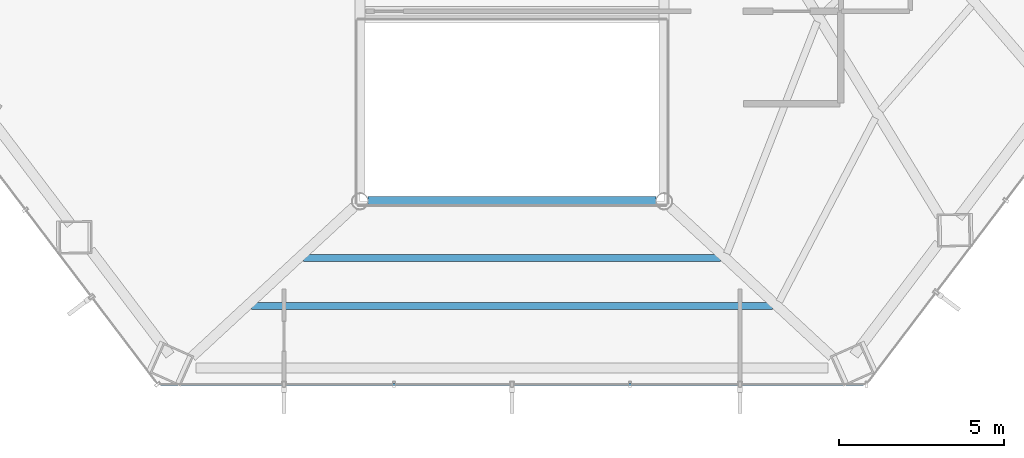
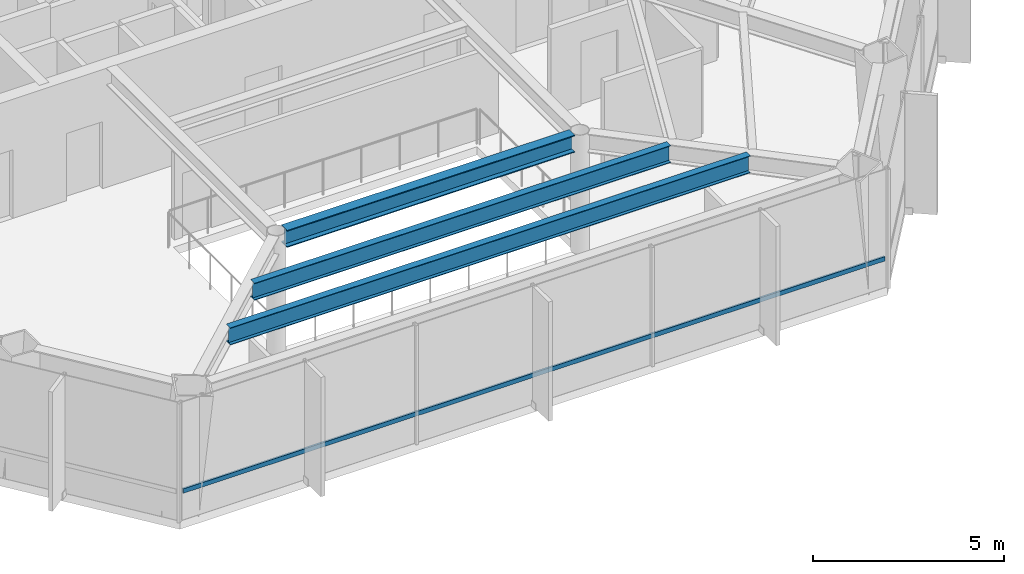
# One storey, part 8 of 26: 3 beams, 1 member, 1 element without a shape of its own.
"""IFC4 building model written with IfcOpenShell, lengths in metres."""

import ifcopenshell
import ifcopenshell.guid

model = None  # the IFC model being written
_history = None  # IfcOwnerHistory: only IFC2X3 demands one
_inside = {}  # id of a spatial element -> (the spatial element, [elements in it])
_under = {}  # id of a project, library or spatial element -> (it, [spatial elements below it])
_declared = {}  # id of a project -> (the project, [libraries it declares])
_typed = {}  # id of a type object -> (the type object, [elements of that type])
_made_of = {}  # id of a material, layer set ... -> (it, [elements and type objects made of it])


def new_model(schema):
    """Start an empty IFC model of exactly this schema.

    Asked for "IFC4X3", IfcOpenShell would pick the latest addendum, in which some entities
    have other attributes; the version numbers below select the first issue.
    IFC2X3 requires an IfcOwnerHistory on every rooted entity: one is made here for all.
    """
    global model, _history
    if schema == "IFC4X3":
        model = ifcopenshell.file(schema_version=(4, 3, 0, 0))
    else:
        model = ifcopenshell.file(schema=schema)
    _inside.clear()
    _under.clear()
    _declared.clear()
    _typed.clear()
    _made_of.clear()
    _history = None
    if model.schema == "IFC2X3":
        org = make("IfcOrganization", Name="unknown")
        user = make(
            "IfcPersonAndOrganization",
            ThePerson=make("IfcPerson", FamilyName="unknown"),
            TheOrganization=org,
        )
        app = make(
            "IfcApplication",
            ApplicationDeveloper=org,
            Version="unknown",
            ApplicationFullName="unknown",
            ApplicationIdentifier="unknown",
        )
        _history = make(
            "IfcOwnerHistory",
            OwningUser=user,
            OwningApplication=app,
            ChangeAction="ADDED",
            CreationDate=0,
        )
    return model


def make(cls, **values):
    """One entity of the class cls with the attributes given. An attribute that is None is left unset."""
    return model.create_entity(
        cls, **{name: value for name, value in values.items() if value is not None}
    )


def rooted(cls, **values):
    """An entity with a GlobalId (a new one), such as an element, a storey or a relation."""
    return make(cls, GlobalId=ifcopenshell.guid.new(), OwnerHistory=_history, **values)


def si_unit(unit_type, name, prefix=None):
    """IfcSIUnit, for example si_unit("LENGTHUNIT", "METRE", prefix="MILLI")."""
    return make("IfcSIUnit", UnitType=unit_type, Prefix=prefix, Name=name)


def assignment(units):
    """IfcUnitAssignment: the units of a project."""
    return None if units is None else make("IfcUnitAssignment", Units=units)


def point(xyz):
    """IfcCartesianPoint."""
    return None if xyz is None else make("IfcCartesianPoint", Coordinates=xyz)


def direction(xyz):
    """IfcDirection."""
    return None if xyz is None else make("IfcDirection", DirectionRatios=xyz)


def frame(location, z_axis=None, x_axis=None):
    """IfcAxis2Placement3D, a coordinate frame: its origin and axes. An axis left out is left unset."""
    return make(
        "IfcAxis2Placement3D",
        Location=point(location),
        Axis=direction(z_axis),
        RefDirection=direction(x_axis),
    )


def frame_2d(location, x_axis=None):
    """IfcAxis2Placement2D, a coordinate frame in the plane: its origin and x axis."""
    return make(
        "IfcAxis2Placement2D", Location=point(location), RefDirection=direction(x_axis)
    )


def origin():
    """The frame at (0, 0, 0) with its axes left unset."""
    return frame((0.0, 0.0, 0.0))


def origin_2d():
    """The frame at (0, 0) in the plane with its x axis left unset."""
    return frame_2d((0.0, 0.0))


def place(relative_to, where):
    """IfcLocalPlacement: puts the frame where relative to a parent placement (None: the world)."""
    return make(
        "IfcLocalPlacement", PlacementRelTo=relative_to, RelativePlacement=where
    )


def context(
    kind, dimensions, precision=None, world=None, true_north=None, identifier=None
):
    """IfcGeometricRepresentationContext, for example the 3D "Model" context."""
    return make(
        "IfcGeometricRepresentationContext",
        ContextIdentifier=identifier,
        ContextType=kind,
        CoordinateSpaceDimension=dimensions,
        Precision=precision,
        WorldCoordinateSystem=world,
        TrueNorth=true_north,
    )


def subcontext(parent, identifier, kind, view, scale=None):
    """IfcGeometricRepresentationSubContext, for example "Body" below "Model"."""
    return make(
        "IfcGeometricRepresentationSubContext",
        ContextIdentifier=identifier,
        ContextType=kind,
        ParentContext=parent,
        TargetScale=scale,
        TargetView=view,
    )


def project(units=None, contexts=None):
    """IfcProject with its units and contexts."""
    return rooted(
        "IfcProject",
        Name="project",
        RepresentationContexts=contexts,
        UnitsInContext=assignment(units),
    )


def spatial(cls, under=None, at=None, **own):
    """A site, building, storey or space (cls), placed at a placement, below another one or the project."""
    s = rooted(cls, ObjectPlacement=at, **own)
    if under is not None:
        _under.setdefault(under.id(), (under, []))[1].append(s)
    return s


def profile(cls, at=None, kind="AREA", **sizes):
    """A parametric profile (cls). Its sizes go by their IFC names, for example OverallWidth=200.0."""
    return make(cls, ProfileType=kind, Position=at, **sizes)


def hollow_rectangle(**sizes):
    """IfcRectangleHollowProfileDef."""
    return profile("IfcRectangleHollowProfileDef", **sizes)


def i_section(**sizes):
    """IfcIShapeProfileDef."""
    return profile("IfcIShapeProfileDef", **sizes)


def extrude(swept, where, along, depth):
    """IfcExtrudedAreaSolid: the profile swept, set in the frame where, extruded along a direction by depth."""
    return make(
        "IfcExtrudedAreaSolid",
        SweptArea=swept,
        Position=where,
        ExtrudedDirection=direction(along),
        Depth=depth,
    )


def shape(context_of_items, identifier, shape_type, items):
    """IfcShapeRepresentation: the items that make up one representation, for example the "Body"."""
    return make(
        "IfcShapeRepresentation",
        ContextOfItems=context_of_items,
        RepresentationIdentifier=identifier,
        RepresentationType=shape_type,
        Items=items,
    )


def material(Name=None, Category=None):
    """IfcMaterial."""
    return make("IfcMaterial", Name=Name, Category=Category)


def layer(
    of_material, thickness, ventilated=None, Name=None, Category=None, Priority=None
):
    """IfcMaterialLayer: one layer of a wall or slab, of a material (None: an air gap)."""
    return make(
        "IfcMaterialLayer",
        Material=of_material,
        LayerThickness=thickness,
        IsVentilated=ventilated,
        Name=Name,
        Category=Category,
        Priority=Priority,
    )


def layer_set(layers, Name=None):
    """IfcMaterialLayerSet."""
    return make("IfcMaterialLayerSet", MaterialLayers=layers, LayerSetName=Name)


def material_profile(
    of_material, cross_section, Name=None, Category=None, Priority=None
):
    """IfcMaterialProfile: a cross section and its material."""
    return make(
        "IfcMaterialProfile",
        Name=Name,
        Material=of_material,
        Profile=cross_section,
        Priority=Priority,
        Category=Category,
    )


def profile_set(profiles, Name=None, composite=None):
    """IfcMaterialProfileSet."""
    return make(
        "IfcMaterialProfileSet",
        Name=Name,
        MaterialProfiles=profiles,
        CompositeProfile=composite,
    )


def made_of(thing, what):
    """Note that an element or type object is made of a material, layer set ...; save() writes the relation."""
    if what is not None:
        _made_of.setdefault(what.id(), (what, []))[1].append(thing)
    return thing


def type_object(cls, material=None, **own):
    """A type object (cls), such as IfcWallType, which elements share."""
    return made_of(rooted(cls, **own), material)


def element(
    cls,
    number,
    at=None,
    inside=None,
    cuts=None,
    type_object=None,
    material=None,
    context=None,
    identifier="Body",
    shape_type=None,
    held_by="IfcProductDefinitionShape",
    body=None,
    shapes=None,
    **own,
):
    """One element of the class cls, such as IfcWall. Its Tag is "e" and its number.

    at: its placement. inside: the storey or other place that contains it. cuts: it is an
    opening in that element (IfcRelVoidsElement). A single representation is given by context,
    identifier, shape_type and body (its items); several are given by shapes. held_by: the class
    of the entity that holds the representations. save() writes the other relations.
    """
    e = rooted(cls, Tag="e%d" % number, ObjectPlacement=at, **own)
    if body is not None:
        shapes = [shape(context, identifier, shape_type, body)]
    if shapes is not None:
        e.Representation = make(held_by, Representations=shapes)
    if inside is not None:
        _inside.setdefault(inside.id(), (inside, []))[1].append(e)
    if cuts is not None:
        rooted(
            "IfcRelVoidsElement", RelatingBuildingElement=cuts, RelatedOpeningElement=e
        )
    if type_object is not None:
        _typed.setdefault(type_object.id(), (type_object, []))[1].append(e)
    return made_of(e, material)


def aggregate(whole, parts):
    """IfcRelAggregates: a whole, such as a stair, and the parts it consists of."""
    return rooted("IfcRelAggregates", RelatingObject=whole, RelatedObjects=parts)


def save(model, path):
    """Write the relations noted so far, then the file.

    IfcRelAggregates (storeys below a building ...), IfcRelContainedInSpatialStructure (elements
    in a storey), IfcRelDefinesByType, IfcRelAssociatesMaterial and IfcRelDeclares: one each for
    every whole, place, type object, material and project.
    """
    for whole, parts in _under.values():
        aggregate(whole, parts)
    for where, things in _inside.values():
        rooted(
            "IfcRelContainedInSpatialStructure",
            RelatedElements=things,
            RelatingStructure=where,
        )
    for kind, things in _typed.values():
        rooted("IfcRelDefinesByType", RelatedObjects=things, RelatingType=kind)
    for what, things in _made_of.values():
        rooted("IfcRelAssociatesMaterial", RelatedObjects=things, RelatingMaterial=what)
    for by, libraries in _declared.values():
        rooted("IfcRelDeclares", RelatingContext=by, RelatedDefinitions=libraries)
    model.write(path)


model = new_model("IFC4")

# Units and contexts
model_context = context("Model", 3, precision=1e-05, world=origin(), true_north=direction((0.0, 1.0)))
body_context = subcontext(model_context, "Body", "Model", "MODEL_VIEW")
ifc_project = project(units=[si_unit("LENGTHUNIT", "METRE"), si_unit("AREAUNIT", "SQUARE_METRE"), si_unit("VOLUMEUNIT", "CUBIC_METRE"), si_unit("PLANEANGLEUNIT", "RADIAN"), si_unit("MASSUNIT", "GRAM", prefix="KILO")], contexts=[model_context])

# Site, building, storey
site_placement = place(None, origin())
site = spatial("IfcSite", under=ifc_project, at=site_placement, CompositionType="ELEMENT")
building_placement = place(site_placement, origin())
building = spatial("IfcBuilding", under=site, at=building_placement, Name="Zarrinselat Tower", CompositionType="ELEMENT")
storey_placement = place(building_placement, frame((0.0, 0.0, 60.179931640625)))
storey = spatial("IfcBuildingStorey", under=building, at=storey_placement, Name="L14", CompositionType="ELEMENT", Elevation=60.179931640625)

# Beams
ifc_material_1 = material(Name="Steel S355J2", Category="steel")
ifc_material_profile_1 = material_profile(ifc_material_1, i_section(OverallWidth=0.300048828125, OverallDepth=0.550048828125, WebThickness=0.014892578125, FlangeThickness=0.029052734375, at=origin_2d()), Name="HEB 550")
ifc_profile_set_1 = profile_set([ifc_material_profile_1], Name="Steel S355J2")
beam_type_1 = type_object("IfcBeamType", Name="BM-HEB550", PredefinedType="BEAM", material=ifc_profile_set_1)
beam_1_placement = place(storey_placement, frame((34.0400390625, 24.39990234375, 3.545166015625), z_axis=(1.0, 0.0, 0.0), x_axis=(0.0, 1.0, 0.0)))
element("IfcBeam", 1, at=beam_1_placement, inside=storey, type_object=beam_type_1, Name="L14 Atrium Edge Beam S", PredefinedType="BEAM", context=body_context, shape_type="SweptSolid", body=[
    extrude(i_section(OverallWidth=0.300048828125, OverallDepth=0.550048828125, WebThickness=0.014892578125, FlangeThickness=0.029052734375, at=origin_2d()), origin(), (0.0, 0.0, 1.0), 8.719970703125),
])
ifc_material_2 = material(Name="Steel S355J2", Category="steel")
ifc_material_profile_2 = material_profile(ifc_material_2, i_section(OverallWidth=0.2099609375, OverallDepth=0.550048828125, WebThickness=0.010986328125, FlangeThickness=0.01708984375, at=origin_2d()), Name="IPE 550")
ifc_profile_set_2 = profile_set([ifc_material_profile_2], Name="Steel S355J2")
beam_type_2 = type_object("IfcBeamType", Name="BM-IPE550", PredefinedType="JOIST", material=ifc_profile_set_2)
beam_2_placement = place(storey_placement, frame((30.522216796875, 21.238525390625, 3.545166015625), z_axis=(1.0, 0.0, 0.0), x_axis=(0.0, 1.0, 0.0)))
element("IfcBeam", 2, at=beam_2_placement, inside=storey, type_object=beam_type_2, Name="L14 Composite Floor Joist 1-1", PredefinedType="JOIST", context=body_context, shape_type="SweptSolid", body=[
    extrude(i_section(OverallWidth=0.2099609375, OverallDepth=0.550048828125, WebThickness=0.010986328125, FlangeThickness=0.01708984375, at=origin_2d()), origin(), (0.0, 0.0, 1.0), 15.75537109375),
])
beam_3_placement = place(storey_placement, frame((32.09033203125, 22.68896484375, 3.545166015625), z_axis=(1.0, 0.0, 0.0), x_axis=(0.0, 1.0, 0.0)))
element("IfcBeam", 3, at=beam_3_placement, inside=storey, type_object=beam_type_2, Name="L14 Composite Floor Joist 1-2", PredefinedType="JOIST", context=body_context, shape_type="SweptSolid", body=[
    extrude(i_section(OverallWidth=0.2099609375, OverallDepth=0.550048828125, WebThickness=0.010986328125, FlangeThickness=0.01708984375, at=origin_2d()), origin(), (0.0, 0.0, 1.0), 12.619384765625),
])

# Curtain wall, member
ifc_material_3 = material(Name="Extruded Aluminium Alloy EN AW-6063 T6", Category="aluminium")
ifc_layer = layer(ifc_material_3, 0.18505859375)
ifc_layer_set = layer_set([ifc_layer], Name="Extruded Aluminium Alloy EN AW-6063 T6")
curtain_wall_type = type_object("IfcCurtainWallType", Name="CWS-OFF", PredefinedType="NOTDEFINED", material=ifc_layer_set)
curtain_wall_placement = place(storey_placement, origin())
curtain_wall = element("IfcCurtainWall", 4, at=curtain_wall_placement, inside=storey, type_object=curtain_wall_type, Name="L14 Unitised Curtain Wall CW-L14-E04", PredefinedType="NOTDEFINED")
ifc_material_4 = material(Name="Extruded Aluminium Alloy EN AW-6063 T6", Category="aluminium")
ifc_material_profile_3 = material_profile(ifc_material_4, hollow_rectangle(XDim=0.06005859375, YDim=0.139892578125, WallThickness=0.00390625, at=origin_2d()), Name="RHS 140x60x4")
ifc_profile_set_3 = profile_set([ifc_material_profile_3], Name="Extruded Aluminium Alloy EN AW-6063 T6")
member_type = type_object("IfcMemberType", Name="MEM-CW-TRN", PredefinedType="USERDEFINED", material=ifc_profile_set_3)
member_placement = place(storey_placement, frame((27.767333984375, 18.86181640625, 0.949951171875), z_axis=(1.0, 0.0, 0.0), x_axis=(0.0, 1.0, 0.0)))
member = element("IfcMember", 5, at=member_placement, type_object=member_type, Name="CW-L14-E04 Transom 1", ObjectType="TRANSOM", PredefinedType="USERDEFINED", context=body_context, shape_type="SweptSolid", body=[
    extrude(hollow_rectangle(XDim=0.06005859375, YDim=0.139892578125, WallThickness=0.00390625, at=origin_2d()), origin(), (0.0, 0.0, 1.0), 21.265380859375),
])
aggregate(curtain_wall, [member])

save(model, "model.ifc")
